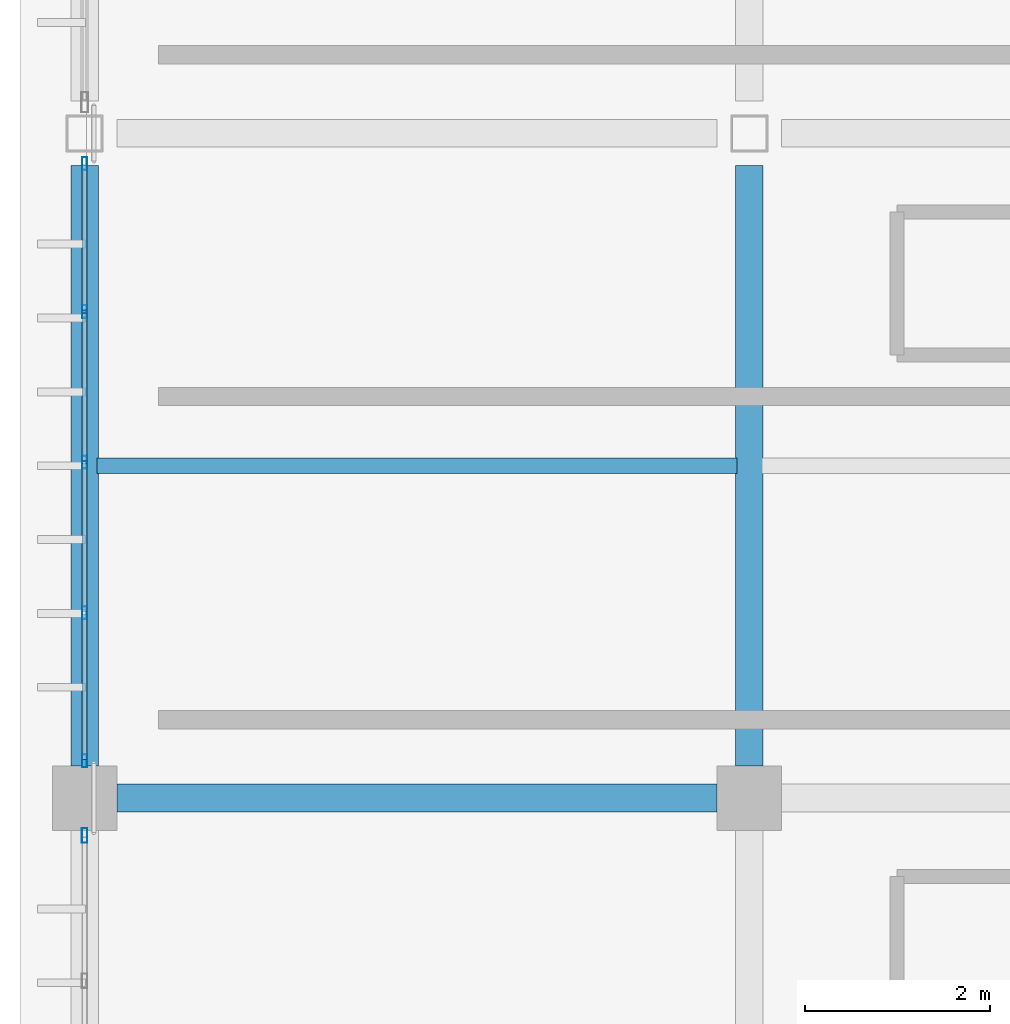
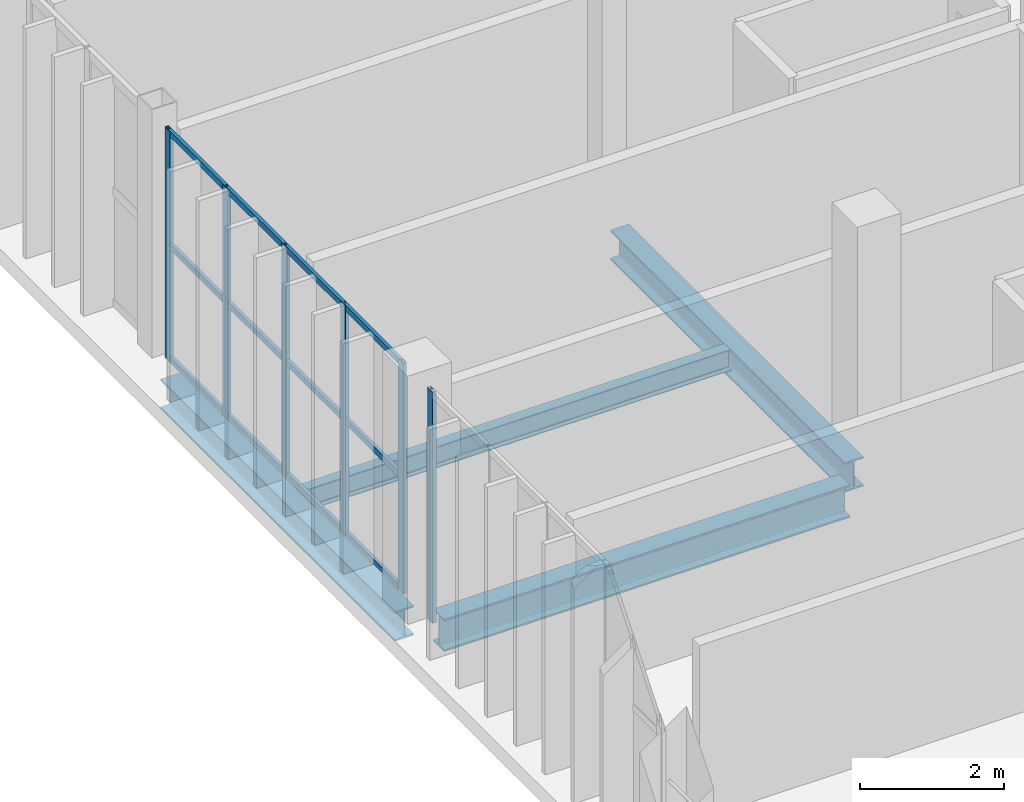
# One storey, part 48 of 130: 18 members, 4 beams, 2 elements without a shape of their own.
"""IFC4 building model written with IfcOpenShell, lengths in metres."""

from ifc_helpers import new_model, si_unit, direction, frame, origin, origin_2d, place, context, subcontext, project, spatial, hollow_rectangle, i_section, extrude, material, material_profile, profile_set, type_object, element, aggregate, save


model = new_model("IFC4")

# Units and contexts
model_context = context("Model", 3, precision=1e-05, world=origin(), true_north=direction((0.0, 1.0)))
body_context = subcontext(model_context, "Body", "Model", "MODEL_VIEW")
ifc_project = project(units=[si_unit("LENGTHUNIT", "METRE"), si_unit("AREAUNIT", "SQUARE_METRE"), si_unit("VOLUMEUNIT", "CUBIC_METRE"), si_unit("PLANEANGLEUNIT", "RADIAN"), si_unit("MASSUNIT", "GRAM", prefix="KILO")], contexts=[model_context])

# Site, building, storey
site_placement = place(None, origin())
site = spatial("IfcSite", under=ifc_project, at=site_placement, CompositionType="ELEMENT")
building_placement = place(site_placement, origin())
building = spatial("IfcBuilding", under=site, at=building_placement, Name="Qandorah Velis Arena", CompositionType="ELEMENT")
storey_placement = place(building_placement, frame((0.0, 0.0, 9.60009765625)))
storey = spatial("IfcBuildingStorey", under=building, at=storey_placement, Name="L02", CompositionType="ELEMENT", Elevation=9.60009765625)

# Curtain wall, members
ifc_material_1 = material(Name="Solar-control low-E double glazing", Category="glass")
curtain_wall_type_1 = type_object("IfcCurtainWallType", Name="ARC-CW-SYS16", PredefinedType="USERDEFINED", material=ifc_material_1)
curtain_wall_1_placement = place(storey_placement, origin())
curtain_wall_1 = element("IfcCurtainWall", 1, at=curtain_wall_1_placement, inside=storey, type_object=curtain_wall_type_1, Name="Unitised curtain wall L02-016", ObjectType="UNITISED CURTAIN WALL", PredefinedType="USERDEFINED")
ifc_material_2 = material(Name="Champagne-bronze anodized aluminium 6063-T6", Category="aluminium")
ifc_material_profile_1 = material_profile(ifc_material_2, hollow_rectangle(XDim=0.054931640625, YDim=0.139892578125, WallThickness=0.0029296875, at=origin_2d()), Name="ALU MULLION 55x140")
ifc_profile_set_1 = profile_set([ifc_material_profile_1], Name="Champagne-bronze anodized aluminium 6063-T6")
member_type_1 = type_object("IfcMemberType", Name="ARC-CWM-140", PredefinedType="MULLION", material=ifc_profile_set_1)
member_1_placement = place(storey_placement, frame((0.0, 65.202392578125, -0.01513671875), z_axis=(0.0, 0.0, 1.0), x_axis=(-1.0, 0.0, 0.0)))
member_1 = element("IfcMember", 2, at=member_1_placement, type_object=member_type_1, Name="CW16 mullion 1", PredefinedType="MULLION", context=body_context, shape_type="SweptSolid", body=[
    extrude(hollow_rectangle(XDim=0.054931640625, YDim=0.139892578125, WallThickness=0.0029296875, at=origin_2d()), origin(), (0.0, 0.0, 1.0), 3.91015625),
])
member_2_placement = place(storey_placement, frame((0.0, 66.80615234375, -0.01513671875), z_axis=(0.0, 0.0, 1.0), x_axis=(-1.0, 0.0, 0.0)))
member_2 = element("IfcMember", 3, at=member_2_placement, type_object=member_type_1, Name="CW16 mullion 2", PredefinedType="MULLION", context=body_context, shape_type="SweptSolid", body=[
    extrude(hollow_rectangle(XDim=0.054931640625, YDim=0.139892578125, WallThickness=0.0029296875, at=origin_2d()), origin(), (0.0, 0.0, 1.0), 3.91015625),
])
member_3_placement = place(storey_placement, frame((0.0, 68.4375, -0.01513671875), z_axis=(0.0, 0.0, 1.0), x_axis=(-1.0, 0.0, 0.0)))
member_3 = element("IfcMember", 4, at=member_3_placement, type_object=member_type_1, Name="CW16 mullion 3", PredefinedType="MULLION", context=body_context, shape_type="SweptSolid", body=[
    extrude(hollow_rectangle(XDim=0.054931640625, YDim=0.139892578125, WallThickness=0.0029296875, at=origin_2d()), origin(), (0.0, 0.0, 1.0), 3.91015625),
])
member_4_placement = place(storey_placement, frame((0.0, 70.06884765625, -0.01513671875), z_axis=(0.0, 0.0, 1.0), x_axis=(-1.0, 0.0, 0.0)))
member_4 = element("IfcMember", 5, at=member_4_placement, type_object=member_type_1, Name="CW16 mullion 4", PredefinedType="MULLION", context=body_context, shape_type="SweptSolid", body=[
    extrude(hollow_rectangle(XDim=0.054931640625, YDim=0.139892578125, WallThickness=0.0029296875, at=origin_2d()), origin(), (0.0, 0.0, 1.0), 3.91015625),
])
member_5_placement = place(storey_placement, frame((0.0, 71.672607421875, -0.01513671875), z_axis=(0.0, 0.0, 1.0), x_axis=(-1.0, 0.0, 0.0)))
member_5 = element("IfcMember", 6, at=member_5_placement, type_object=member_type_1, Name="CW16 mullion 5", PredefinedType="MULLION", context=body_context, shape_type="SweptSolid", body=[
    extrude(hollow_rectangle(XDim=0.054931640625, YDim=0.139892578125, WallThickness=0.0029296875, at=origin_2d()), origin(), (0.0, 0.0, 1.0), 3.91015625),
])

# Curtain wall, member
curtain_wall_type_2 = type_object("IfcCurtainWallType", Name="ARC-CW-SYS15", PredefinedType="USERDEFINED", material=ifc_material_1)
curtain_wall_2_placement = place(storey_placement, origin())
curtain_wall_2 = element("IfcCurtainWall", 7, at=curtain_wall_2_placement, inside=storey, type_object=curtain_wall_type_2, Name="Unitised curtain wall L02-015", ObjectType="UNITISED CURTAIN WALL", PredefinedType="USERDEFINED")
ifc_material_profile_2 = material_profile(ifc_material_2, hollow_rectangle(XDim=0.06005859375, YDim=0.159912109375, WallThickness=0.00341796875, at=origin_2d()), Name="ALU MULLION 60x160")
ifc_profile_set_2 = profile_set([ifc_material_profile_2], Name="Champagne-bronze anodized aluminium 6063-T6")
member_type_2 = type_object("IfcMemberType", Name="ARC-CWM-160", PredefinedType="MULLION", material=ifc_profile_set_2)
member_6_placement = place(storey_placement, frame((0.0, 64.39501953125, -0.01513671875), z_axis=(0.0, 0.0, 1.0), x_axis=(-1.0, 0.0, 0.0)))
member_6 = element("IfcMember", 8, at=member_6_placement, type_object=member_type_2, Name="CW15 mullion 5", PredefinedType="MULLION", context=body_context, shape_type="SweptSolid", body=[
    extrude(hollow_rectangle(XDim=0.06005859375, YDim=0.159912109375, WallThickness=0.00341796875, at=origin_2d()), origin(), (0.0, 0.0, 1.0), 3.91015625),
])
aggregate(curtain_wall_2, [member_6])

# Member
ifc_material_profile_3 = material_profile(ifc_material_2, hollow_rectangle(XDim=0.054931640625, YDim=0.10009765625, WallThickness=0.0029296875, at=origin_2d()), Name="ALU TRANSOM 55x100")
ifc_profile_set_3 = profile_set([ifc_material_profile_3], Name="Champagne-bronze anodized aluminium 6063-T6")
member_type_3 = type_object("IfcMemberType", Name="ARC-CWT-100", PredefinedType="USERDEFINED", material=ifc_profile_set_3)
member_7_placement = place(storey_placement, frame((0.0, 65.218017578125, 0.02734375), z_axis=(0.0, 1.0, 0.0), x_axis=(-1.0, 0.0, 0.0)))
member_7 = element("IfcMember", 9, at=member_7_placement, type_object=member_type_3, Name="CW16 transom 1.1", ObjectType="TRANSOM", PredefinedType="USERDEFINED", context=body_context, shape_type="SweptSolid", body=[
    extrude(hollow_rectangle(XDim=0.054931640625, YDim=0.10009765625, WallThickness=0.0029296875, at=origin_2d()), origin(), (0.0, 0.0, 1.0), 1.57275390625),
])

member_8_placement = place(storey_placement, frame((0.0, 65.218017578125, 1.93994140625), z_axis=(0.0, 1.0, 0.0), x_axis=(-1.0, 0.0, 0.0)))
member_8 = element("IfcMember", 10, at=member_8_placement, type_object=member_type_3, Name="CW16 transom 1.2", ObjectType="TRANSOM", PredefinedType="USERDEFINED", context=body_context, shape_type="SweptSolid", body=[
    extrude(hollow_rectangle(XDim=0.054931640625, YDim=0.10009765625, WallThickness=0.0029296875, at=origin_2d()), origin(), (0.0, 0.0, 1.0), 1.57275390625),
])

member_9_placement = place(storey_placement, frame((0.0, 65.218017578125, 3.852294921875), z_axis=(0.0, 1.0, 0.0), x_axis=(-1.0, 0.0, 0.0)))
member_9 = element("IfcMember", 11, at=member_9_placement, type_object=member_type_3, Name="CW16 transom 1.3", ObjectType="TRANSOM", PredefinedType="USERDEFINED", context=body_context, shape_type="SweptSolid", body=[
    extrude(hollow_rectangle(XDim=0.054931640625, YDim=0.10009765625, WallThickness=0.0029296875, at=origin_2d()), origin(), (0.0, 0.0, 1.0), 1.57275390625),
])

member_10_placement = place(storey_placement, frame((0.0, 66.82177734375, 0.02734375), z_axis=(0.0, 1.0, 0.0), x_axis=(-1.0, 0.0, 0.0)))
member_10 = element("IfcMember", 12, at=member_10_placement, type_object=member_type_3, Name="CW16 transom 2.1", ObjectType="TRANSOM", PredefinedType="USERDEFINED", context=body_context, shape_type="SweptSolid", body=[
    extrude(hollow_rectangle(XDim=0.054931640625, YDim=0.10009765625, WallThickness=0.0029296875, at=origin_2d()), origin(), (0.0, 0.0, 1.0), 1.600341796875),
])

member_11_placement = place(storey_placement, frame((0.0, 66.82177734375, 1.93994140625), z_axis=(0.0, 1.0, 0.0), x_axis=(-1.0, 0.0, 0.0)))
member_11 = element("IfcMember", 13, at=member_11_placement, type_object=member_type_3, Name="CW16 transom 2.2", ObjectType="TRANSOM", PredefinedType="USERDEFINED", context=body_context, shape_type="SweptSolid", body=[
    extrude(hollow_rectangle(XDim=0.054931640625, YDim=0.10009765625, WallThickness=0.0029296875, at=origin_2d()), origin(), (0.0, 0.0, 1.0), 1.600341796875),
])

member_12_placement = place(storey_placement, frame((0.0, 66.82177734375, 3.852294921875), z_axis=(0.0, 1.0, 0.0), x_axis=(-1.0, 0.0, 0.0)))
member_12 = element("IfcMember", 14, at=member_12_placement, type_object=member_type_3, Name="CW16 transom 2.3", ObjectType="TRANSOM", PredefinedType="USERDEFINED", context=body_context, shape_type="SweptSolid", body=[
    extrude(hollow_rectangle(XDim=0.054931640625, YDim=0.10009765625, WallThickness=0.0029296875, at=origin_2d()), origin(), (0.0, 0.0, 1.0), 1.600341796875),
])

member_13_placement = place(storey_placement, frame((0.0, 68.452880859375, 0.02734375), z_axis=(0.0, 1.0, 0.0), x_axis=(-1.0, 0.0, 0.0)))
member_13 = element("IfcMember", 15, at=member_13_placement, type_object=member_type_3, Name="CW16 transom 3.1", ObjectType="TRANSOM", PredefinedType="USERDEFINED", context=body_context, shape_type="SweptSolid", body=[
    extrude(hollow_rectangle(XDim=0.054931640625, YDim=0.10009765625, WallThickness=0.0029296875, at=origin_2d()), origin(), (0.0, 0.0, 1.0), 1.600341796875),
])

member_14_placement = place(storey_placement, frame((0.0, 68.452880859375, 1.93994140625), z_axis=(0.0, 1.0, 0.0), x_axis=(-1.0, 0.0, 0.0)))
member_14 = element("IfcMember", 16, at=member_14_placement, type_object=member_type_3, Name="CW16 transom 3.2", ObjectType="TRANSOM", PredefinedType="USERDEFINED", context=body_context, shape_type="SweptSolid", body=[
    extrude(hollow_rectangle(XDim=0.054931640625, YDim=0.10009765625, WallThickness=0.0029296875, at=origin_2d()), origin(), (0.0, 0.0, 1.0), 1.600341796875),
])

member_15_placement = place(storey_placement, frame((0.0, 68.452880859375, 3.852294921875), z_axis=(0.0, 1.0, 0.0), x_axis=(-1.0, 0.0, 0.0)))
member_15 = element("IfcMember", 17, at=member_15_placement, type_object=member_type_3, Name="CW16 transom 3.3", ObjectType="TRANSOM", PredefinedType="USERDEFINED", context=body_context, shape_type="SweptSolid", body=[
    extrude(hollow_rectangle(XDim=0.054931640625, YDim=0.10009765625, WallThickness=0.0029296875, at=origin_2d()), origin(), (0.0, 0.0, 1.0), 1.600341796875),
])

member_16_placement = place(storey_placement, frame((0.0, 70.084228515625, 0.02734375), z_axis=(0.0, 1.0, 0.0), x_axis=(-1.0, 0.0, 0.0)))
member_16 = element("IfcMember", 18, at=member_16_placement, type_object=member_type_3, Name="CW16 transom 4.1", ObjectType="TRANSOM", PredefinedType="USERDEFINED", context=body_context, shape_type="SweptSolid", body=[
    extrude(hollow_rectangle(XDim=0.054931640625, YDim=0.10009765625, WallThickness=0.0029296875, at=origin_2d()), origin(), (0.0, 0.0, 1.0), 1.57275390625),
])

member_17_placement = place(storey_placement, frame((0.0, 70.084228515625, 1.93994140625), z_axis=(0.0, 1.0, 0.0), x_axis=(-1.0, 0.0, 0.0)))
member_17 = element("IfcMember", 19, at=member_17_placement, type_object=member_type_3, Name="CW16 transom 4.2", ObjectType="TRANSOM", PredefinedType="USERDEFINED", context=body_context, shape_type="SweptSolid", body=[
    extrude(hollow_rectangle(XDim=0.054931640625, YDim=0.10009765625, WallThickness=0.0029296875, at=origin_2d()), origin(), (0.0, 0.0, 1.0), 1.57275390625),
])

member_18_placement = place(storey_placement, frame((0.0, 70.084228515625, 3.852294921875), z_axis=(0.0, 1.0, 0.0), x_axis=(-1.0, 0.0, 0.0)))
member_18 = element("IfcMember", 20, at=member_18_placement, type_object=member_type_3, Name="CW16 transom 4.3", ObjectType="TRANSOM", PredefinedType="USERDEFINED", context=body_context, shape_type="SweptSolid", body=[
    extrude(hollow_rectangle(XDim=0.054931640625, YDim=0.10009765625, WallThickness=0.0029296875, at=origin_2d()), origin(), (0.0, 0.0, 1.0), 1.57275390625),
])

aggregate(curtain_wall_1, [member_1, member_2, member_3, member_4, member_5, member_7, member_8, member_9, member_10, member_11, member_12, member_13, member_14, member_15, member_16, member_17, member_18])

# Beams
ifc_material_3 = material(Name="Steel S355", Category="steel")
ifc_material_profile_4 = material_profile(ifc_material_3, i_section(OverallWidth=0.300048828125, OverallDepth=0.5, WebThickness=0.014404296875, FlangeThickness=0.028076171875, FilletRadius=0.027099609375, at=origin_2d()), Name="HEB 500")
ifc_profile_set_4 = profile_set([ifc_material_profile_4], Name="Steel S355")
beam_type_1 = type_object("IfcBeamType", Name="STR-BM-HEB500", PredefinedType="BEAM", material=ifc_profile_set_4)
for number, where, z_axis, x_axis, name in (
    (21, (0.0, 65.14990234375, -0.530029296875), (0.0, 1.0, 0.0), (-1.0, 0.0, 0.0), "Primary floor girder L02 Y-191"),
    (22, (7.199951171875, 65.14990234375, -0.530029296875), (0.0, 1.0, 0.0), (-1.0, 0.0, 0.0), "Primary floor girder L02 Y-205"),
):
    element("IfcBeam", number, at=place(storey_placement, frame(where, z_axis=z_axis, x_axis=x_axis)), inside=storey, type_object=beam_type_1, Name=name, PredefinedType="BEAM", context=body_context, shape_type="SweptSolid", body=[
        extrude(i_section(OverallWidth=0.300048828125, OverallDepth=0.5, WebThickness=0.014404296875, FlangeThickness=0.028076171875, FilletRadius=0.027099609375, at=origin_2d()), origin(), (0.0, 0.0, 1.0), 6.5),
    ])
ifc_material_profile_5 = material_profile(ifc_material_3, i_section(OverallWidth=0.300048828125, OverallDepth=0.550048828125, WebThickness=0.014892578125, FlangeThickness=0.029052734375, FilletRadius=0.027099609375, at=origin_2d()), Name="HEB 550")
ifc_profile_set_5 = profile_set([ifc_material_profile_5], Name="Steel S355")
beam_type_2 = type_object("IfcBeamType", Name="STR-BM-HEB550", PredefinedType="BEAM", material=ifc_profile_set_5)
beam_1_placement = place(storey_placement, frame((0.35009765625, 64.800048828125, -0.55517578125), z_axis=(1.0, 0.0, 0.0), x_axis=(0.0, 1.0, 0.0)))
element("IfcBeam", 23, at=beam_1_placement, inside=storey, type_object=beam_type_2, Name="Primary floor girder L02 X-091", PredefinedType="BEAM", context=body_context, shape_type="SweptSolid", body=[
    extrude(i_section(OverallWidth=0.300048828125, OverallDepth=0.550048828125, WebThickness=0.014892578125, FlangeThickness=0.029052734375, FilletRadius=0.027099609375, at=origin_2d()), origin(), (0.0, 0.0, 1.0), 6.5),
])
ifc_material_profile_6 = material_profile(ifc_material_3, i_section(OverallWidth=0.169921875, OverallDepth=0.360107421875, WebThickness=0.008056640625, FlangeThickness=0.0126953125, FilletRadius=0.01806640625, at=origin_2d()), Name="IPE 360")
ifc_profile_set_6 = profile_set([ifc_material_profile_6], Name="Steel S355")
beam_type_3 = type_object("IfcBeamType", Name="STR-JST-IPE360", PredefinedType="JOIST", material=ifc_profile_set_6)
beam_2_placement = place(storey_placement, frame((0.135009765625, 68.39990234375, -0.460205078125), z_axis=(1.0, 0.0, 0.0), x_axis=(0.0, 1.0, 0.0)))
element("IfcBeam", 24, at=beam_2_placement, inside=storey, type_object=beam_type_3, Name="Secondary floor joist L02-006", PredefinedType="JOIST", context=body_context, shape_type="SweptSolid", body=[
    extrude(i_section(OverallWidth=0.169921875, OverallDepth=0.360107421875, WebThickness=0.008056640625, FlangeThickness=0.0126953125, FilletRadius=0.01806640625, at=origin_2d()), origin(), (0.0, 0.0, 1.0), 6.929931640625),
])

save(model, "model.ifc")
